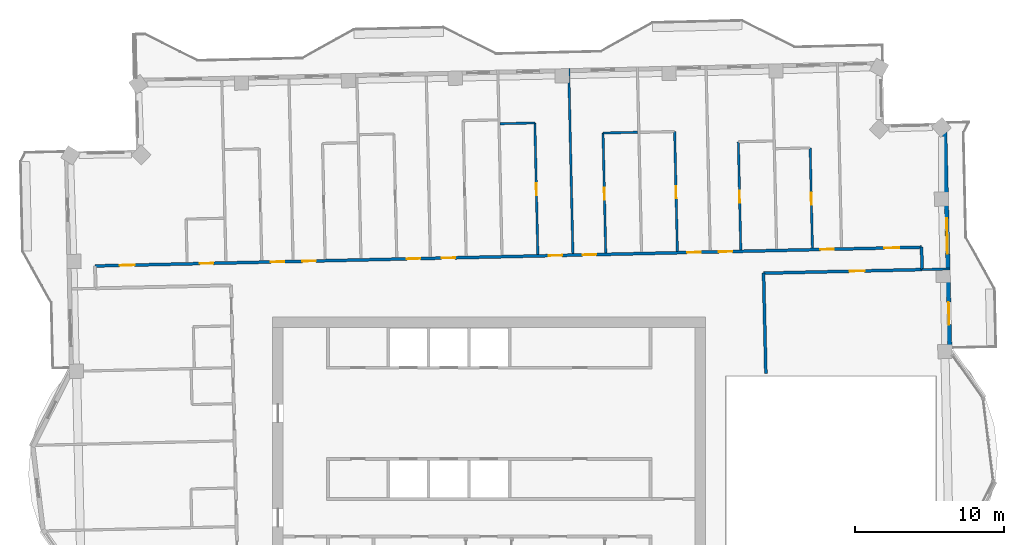
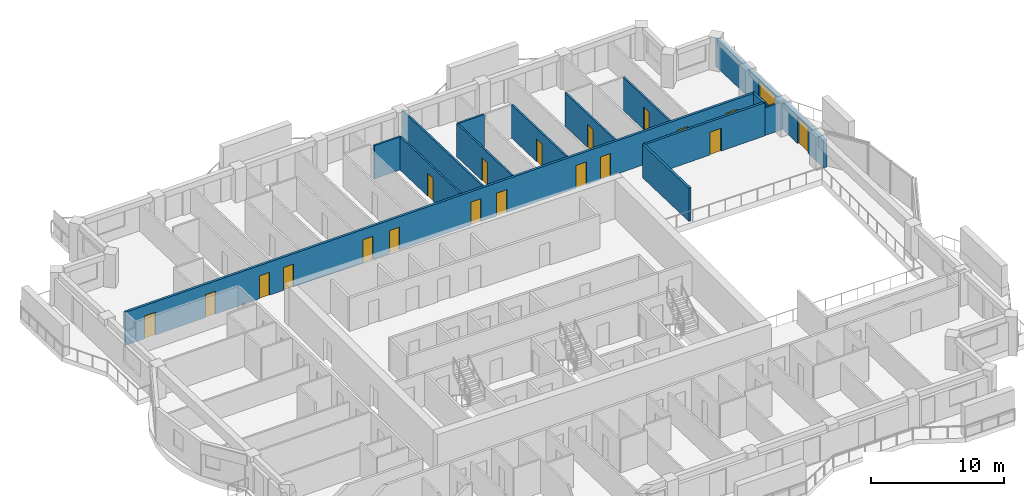
# One storey, part 13 of 18: 19 doors, 14 walls, 1 window, 20 openings.
"""IFC4 building model written with IfcOpenShell, lengths in metres."""

from ifc_helpers import new_model, si_unit, direction, frame, frame_2d, origin, place, context, subcontext, project, spatial, rectangle, extrude, material, layer, layer_set, type_object, element, fill, save


model = new_model("IFC4")

# Units and contexts
model_context = context("Model", 3, precision=1e-05, world=origin(), true_north=direction((0.0, 1.0)))
body_context = subcontext(model_context, "Body", "Model", "MODEL_VIEW")
ifc_project = project(units=[si_unit("LENGTHUNIT", "METRE"), si_unit("AREAUNIT", "SQUARE_METRE"), si_unit("VOLUMEUNIT", "CUBIC_METRE"), si_unit("PLANEANGLEUNIT", "RADIAN"), si_unit("MASSUNIT", "GRAM", prefix="KILO")], contexts=[model_context])

# Site, building, storey
site_placement = place(None, origin())
site = spatial("IfcSite", under=ifc_project, at=site_placement, CompositionType="ELEMENT")
building_placement = place(site_placement, origin())
building = spatial("IfcBuilding", under=site, at=building_placement, Name="Mangrove Gate Tower", CompositionType="ELEMENT")
storey_placement = place(building_placement, frame((0.0, 0.0, 287.10009765625)))
storey = spatial("IfcBuildingStorey", under=building, at=storey_placement, Name="L73", CompositionType="ELEMENT", Elevation=287.10009765625)

# Wall
ifc_material_1 = material(Name="Gypsum board on steel stud, EI 60", Category="steel")
ifc_layer_1 = layer(ifc_material_1, 0.199951171875)
ifc_layer_set_1 = layer_set([ifc_layer_1], Name="Corridor wall EI 60")
wall_type_1 = type_object("IfcWallType", Name="Corridor wall EI 60", PredefinedType="PARTITIONING", material=ifc_layer_set_1)
wall_1_placement = place(storey_placement, frame((18.537109375, 7.714111328125, 0.0), z_axis=(0.0, 0.0, 1.0), x_axis=(-0.022773383809, 0.999740652864, 0.0)))
element("IfcWall", 1, at=wall_1_placement, inside=storey, type_object=wall_type_1, Name="WALL-L73-047", PredefinedType="PARTITIONING", context=body_context, shape_type="SweptSolid", body=[
    extrude(rectangle(XDim=6.7216796875, YDim=0.199951171875, at=frame_2d((3.36083984375, 0.0))), origin(), (0.0, 0.0, 1.0), 3.0498046875),
])

# Wall, opening, door
wall_2_placement = place(storey_placement, frame((18.382080078125, 14.43408203125, 0.0), z_axis=(0.0, 0.0, 1.0), x_axis=(0.999742819156, 0.02267808514, 0.0)))
wall_2 = element("IfcWall", 2, at=wall_2_placement, inside=storey, type_object=wall_type_1, Name="WALL-L73-054", PredefinedType="PARTITIONING", context=body_context, shape_type="SweptSolid", body=[
    extrude(rectangle(XDim=10.62548828125, YDim=0.199951171875, at=frame_2d((5.312744140625, 0.0))), origin(), (0.0, 0.0, 1.0), 3.0498046875),
])
opening_1_placement = place(wall_2_placement, frame((5.777099609375, 0.0, 0.0)))
opening_1 = element("IfcOpeningElement", 3, at=opening_1_placement, cuts=wall_2, Name="Opening AD", PredefinedType="OPENING", context=body_context, shape_type="SweptSolid", body=[
    extrude(rectangle(XDim=1.0, YDim=2.10009765625, at=frame_2d((0.5, 1.050048828125))), frame((0.0, 0.10986328125, 0.0), z_axis=(0.0, -1.0, 0.0), x_axis=(1.0, 0.0, 0.0)), (0.0, 0.0, 1.0), 0.219970703125),
])
ifc_material_2 = material(Name="Timber door leaf", Category="wood")
door_type_1 = type_object("IfcDoorType", Name="Amenity door 1000", OperationType="SINGLE_SWING_LEFT", PredefinedType="DOOR", material=ifc_material_2)
door_1_placement = place(opening_1_placement, origin())
door_1 = element("IfcDoor", 4, at=door_1_placement, inside=storey, type_object=door_type_1, Name="DOOR-L73-GAM-c3a", OperationType="SINGLE_SWING_RIGHT", OverallHeight=2.10009765625, OverallWidth=1.0, PredefinedType="DOOR", context=body_context, shape_type="SweptSolid", body=[
    extrude(rectangle(XDim=1.0, YDim=2.10009765625, at=frame_2d((0.5, 1.050048828125))), frame((0.0, 0.02490234375, 0.0), z_axis=(0.0, -1.0, 0.0), x_axis=(1.0, 0.0, 0.0)), (0.0, 0.0, 1.0), 0.050048828125),
])
fill(opening_1, door_1)

# Wall
wall_3_placement = place(storey_placement, frame((29.001953125, 14.675048828125, 0.0), z_axis=(0.0, 0.0, 1.0), x_axis=(-0.022617910375, 0.999744182344, 0.0)))
element("IfcWall", 5, at=wall_3_placement, inside=storey, type_object=wall_type_1, Name="WALL-L73-055", PredefinedType="PARTITIONING", context=body_context, shape_type="SweptSolid", body=[
    extrude(rectangle(XDim=1.50048828125, YDim=0.199951171875, at=frame_2d((0.750244140625, 0.0))), origin(), (0.0, 0.0, 1.0), 3.0498046875),
])

# Wall, openings, doors
wall_4_placement = place(storey_placement, frame((-26.40087890625, 14.91796875, 0.0), z_axis=(0.0, 0.0, 1.0), x_axis=(0.99974239733, 0.022696673341, 0.0)))
wall_4 = element("IfcWall", 6, at=wall_4_placement, inside=storey, type_object=wall_type_1, Name="WALL-L73-057", PredefinedType="PARTITIONING", context=body_context, shape_type="SweptSolid", body=[
    extrude(rectangle(XDim=55.385986328125, YDim=0.199951171875, at=frame_2d((27.69287109375, 0.0))), origin(), (0.0, 0.0, 1.0), 3.0498046875),
])
opening_2_placement = place(wall_4_placement, frame((52.888916015625, 0.0, 0.0)))
opening_2 = element("IfcOpeningElement", 7, at=opening_2_placement, cuts=wall_4, Name="Opening AD", PredefinedType="OPENING", context=body_context, shape_type="SweptSolid", body=[
    extrude(rectangle(XDim=1.0, YDim=2.10009765625, at=frame_2d((0.5, 1.050048828125))), frame((0.0, 0.10986328125, 0.0), z_axis=(0.0, -1.0, 0.0), x_axis=(1.0, 0.0, 0.0)), (0.0, 0.0, 1.0), 0.219970703125),
])
opening_3_placement = place(wall_4_placement, frame((48.60009765625, 0.0, 0.0)))
opening_3 = element("IfcOpeningElement", 8, at=opening_3_placement, cuts=wall_4, Name="Opening BD", PredefinedType="OPENING", context=body_context, shape_type="SweptSolid", body=[
    extrude(rectangle(XDim=0.89990234375, YDim=2.10009765625, at=frame_2d((0.449951171875, 1.050048828125))), frame((0.0, 0.10986328125, 0.0), z_axis=(0.0, -1.0, 0.0), x_axis=(1.0, 0.0, 0.0)), (0.0, 0.0, 1.0), 0.219970703125),
])
opening_4_placement = place(wall_4_placement, frame((41.800048828125, 0.0, 0.0)))
opening_4 = element("IfcOpeningElement", 9, at=opening_4_placement, cuts=wall_4, Name="Opening BD", PredefinedType="OPENING", context=body_context, shape_type="SweptSolid", body=[
    extrude(rectangle(XDim=0.89990234375, YDim=2.10009765625, at=frame_2d((0.449951171875, 1.050048828125))), frame((0.0, 0.10986328125, 0.0), z_axis=(0.0, -1.0, 0.0), x_axis=(1.0, 0.0, 0.0)), (0.0, 0.0, 1.0), 0.219970703125),
])
opening_5_placement = place(wall_4_placement, frame((39.675048828125, 0.0, 0.0)))
opening_5 = element("IfcOpeningElement", 10, at=opening_5_placement, cuts=wall_4, Name="Opening BD", PredefinedType="OPENING", context=body_context, shape_type="SweptSolid", body=[
    extrude(rectangle(XDim=0.89990234375, YDim=2.10009765625, at=frame_2d((0.449951171875, 1.050048828125))), frame((0.0, 0.10986328125, 0.0), z_axis=(0.0, -1.0, 0.0), x_axis=(1.0, 0.0, 0.0)), (0.0, 0.0, 1.0), 0.219970703125),
])
opening_6_placement = place(wall_4_placement, frame((32.675048828125, 0.0, 0.0)))
opening_6 = element("IfcOpeningElement", 11, at=opening_6_placement, cuts=wall_4, Name="Opening BD", PredefinedType="OPENING", context=body_context, shape_type="SweptSolid", body=[
    extrude(rectangle(XDim=0.89990234375, YDim=2.10009765625, at=frame_2d((0.449951171875, 1.050048828125))), frame((0.0, 0.10986328125, 0.0), z_axis=(0.0, -1.0, 0.0), x_axis=(1.0, 0.0, 0.0)), (0.0, 0.0, 1.0), 0.219970703125),
])
opening_7_placement = place(wall_4_placement, frame((30.39990234375, 0.0, 0.0)))
opening_7 = element("IfcOpeningElement", 12, at=opening_7_placement, cuts=wall_4, Name="Opening BD", PredefinedType="OPENING", context=body_context, shape_type="SweptSolid", body=[
    extrude(rectangle(XDim=0.89990234375, YDim=2.10009765625, at=frame_2d((0.449951171875, 1.050048828125))), frame((0.0, 0.10986328125, 0.0), z_axis=(0.0, -1.0, 0.0), x_axis=(1.0, 0.0, 0.0)), (0.0, 0.0, 1.0), 0.219970703125),
])
opening_8_placement = place(wall_4_placement, frame((23.22509765625, 0.0, 0.0)))
opening_8 = element("IfcOpeningElement", 13, at=opening_8_placement, cuts=wall_4, Name="Opening BD", PredefinedType="OPENING", context=body_context, shape_type="SweptSolid", body=[
    extrude(rectangle(XDim=0.89990234375, YDim=2.10009765625, at=frame_2d((0.449951171875, 1.050048828125))), frame((0.0, 0.10986328125, 0.0), z_axis=(0.0, -1.0, 0.0), x_axis=(1.0, 0.0, 0.0)), (0.0, 0.0, 1.0), 0.219970703125),
])
opening_9_placement = place(wall_4_placement, frame((20.89990234375, 0.0, 0.0)))
opening_9 = element("IfcOpeningElement", 14, at=opening_9_placement, cuts=wall_4, Name="Opening BD", PredefinedType="OPENING", context=body_context, shape_type="SweptSolid", body=[
    extrude(rectangle(XDim=0.89990234375, YDim=2.10009765625, at=frame_2d((0.449951171875, 1.050048828125))), frame((0.0, 0.10986328125, 0.0), z_axis=(0.0, -1.0, 0.0), x_axis=(1.0, 0.0, 0.0)), (0.0, 0.0, 1.0), 0.219970703125),
])
opening_10_placement = place(wall_4_placement, frame((13.89990234375, 0.0, 0.0)))
opening_10 = element("IfcOpeningElement", 15, at=opening_10_placement, cuts=wall_4, Name="Opening BD", PredefinedType="OPENING", context=body_context, shape_type="SweptSolid", body=[
    extrude(rectangle(XDim=0.89990234375, YDim=2.10009765625, at=frame_2d((0.449951171875, 1.050048828125))), frame((0.0, 0.10986328125, 0.0), z_axis=(0.0, -1.0, 0.0), x_axis=(1.0, 0.0, 0.0)), (0.0, 0.0, 1.0), 0.219970703125),
])
opening_11_placement = place(wall_4_placement, frame((11.77490234375, 0.0, 0.0)))
opening_11 = element("IfcOpeningElement", 16, at=opening_11_placement, cuts=wall_4, Name="Opening BD", PredefinedType="OPENING", context=body_context, shape_type="SweptSolid", body=[
    extrude(rectangle(XDim=0.89990234375, YDim=2.10009765625, at=frame_2d((0.449951171875, 1.050048828125))), frame((0.0, 0.10986328125, 0.0), z_axis=(0.0, -1.0, 0.0), x_axis=(1.0, 0.0, 0.0)), (0.0, 0.0, 1.0), 0.219970703125),
])
opening_12_placement = place(wall_4_placement, frame((1.64990234375, 0.0, 0.0)))
opening_12 = element("IfcOpeningElement", 17, at=opening_12_placement, cuts=wall_4, Name="Opening AD", PredefinedType="OPENING", context=body_context, shape_type="SweptSolid", body=[
    extrude(rectangle(XDim=1.0, YDim=2.10009765625, at=frame_2d((0.5, 1.050048828125))), frame((0.0, 0.10986328125, 0.0), z_axis=(0.0, -1.0, 0.0), x_axis=(1.0, 0.0, 0.0)), (0.0, 0.0, 1.0), 0.219970703125),
])
opening_13_placement = place(wall_4_placement, frame((7.02490234375, 0.0, 0.0)))
opening_13 = element("IfcOpeningElement", 18, at=opening_13_placement, cuts=wall_4, Name="Opening SD", PredefinedType="OPENING", context=body_context, shape_type="SweptSolid", body=[
    extrude(rectangle(XDim=0.89990234375, YDim=2.10009765625, at=frame_2d((0.449951171875, 1.050048828125))), frame((0.0, 0.10986328125, 0.0), z_axis=(0.0, -1.0, 0.0), x_axis=(1.0, 0.0, 0.0)), (0.0, 0.0, 1.0), 0.219970703125),
])
door_2_placement = place(opening_2_placement, origin())
door_2 = element("IfcDoor", 19, at=door_2_placement, inside=storey, type_object=door_type_1, Name="DOOR-L73-STU-c3a", OperationType="SINGLE_SWING_LEFT", OverallHeight=2.10009765625, OverallWidth=1.0, PredefinedType="DOOR", context=body_context, shape_type="SweptSolid", body=[
    extrude(rectangle(XDim=1.0, YDim=2.10009765625, at=frame_2d((0.5, 1.050048828125))), frame((0.0, 0.02490234375, 0.0), z_axis=(0.0, -1.0, 0.0), x_axis=(1.0, 0.0, 0.0)), (0.0, 0.0, 1.0), 0.050048828125),
])
fill(opening_2, door_2)
door_3_placement = place(opening_12_placement, origin())
door_3 = element("IfcDoor", 20, at=door_3_placement, inside=storey, type_object=door_type_1, Name="DOOR-L73-LNG-c5a", OperationType="SINGLE_SWING_RIGHT", OverallHeight=2.10009765625, OverallWidth=1.0, PredefinedType="DOOR", context=body_context, shape_type="SweptSolid", body=[
    extrude(rectangle(XDim=1.0, YDim=2.10009765625, at=frame_2d((0.5, 1.050048828125))), frame((0.0, 0.02490234375, 0.0), z_axis=(0.0, -1.0, 0.0), x_axis=(1.0, 0.0, 0.0)), (0.0, 0.0, 1.0), 0.050048828125),
])
fill(opening_12, door_3)
ifc_material_3 = material(Name="Timber door leaf", Category="wood")
door_type_2 = type_object("IfcDoorType", Name="Bedroom door 900", OperationType="SINGLE_SWING_LEFT", PredefinedType="DOOR", material=ifc_material_3)
door_4_placement = place(opening_3_placement, origin())
door_4 = element("IfcDoor", 21, at=door_4_placement, inside=storey, type_object=door_type_2, Name="DOOR-L73-BED-c310", OperationType="SINGLE_SWING_RIGHT", OverallHeight=2.10009765625, OverallWidth=0.89990234375, PredefinedType="DOOR", context=body_context, shape_type="SweptSolid", body=[
    extrude(rectangle(XDim=0.89990234375, YDim=2.10009765625, at=frame_2d((0.449951171875, 1.050048828125))), frame((0.0, 0.02490234375, 0.0), z_axis=(0.0, -1.0, 0.0), x_axis=(1.0, 0.0, 0.0)), (0.0, 0.0, 1.0), 0.050048828125),
])
fill(opening_3, door_4)
door_5_placement = place(opening_4_placement, origin())
door_5 = element("IfcDoor", 22, at=door_5_placement, inside=storey, type_object=door_type_2, Name="DOOR-L73-BED-c311", OperationType="SINGLE_SWING_LEFT", OverallHeight=2.10009765625, OverallWidth=0.89990234375, PredefinedType="DOOR", context=body_context, shape_type="SweptSolid", body=[
    extrude(rectangle(XDim=0.89990234375, YDim=2.10009765625, at=frame_2d((0.449951171875, 1.050048828125))), frame((0.0, 0.02490234375, 0.0), z_axis=(0.0, -1.0, 0.0), x_axis=(1.0, 0.0, 0.0)), (0.0, 0.0, 1.0), 0.050048828125),
])
fill(opening_4, door_5)
door_6_placement = place(opening_5_placement, origin())
door_6 = element("IfcDoor", 23, at=door_6_placement, inside=storey, type_object=door_type_2, Name="DOOR-L73-BED-c412", OperationType="SINGLE_SWING_RIGHT", OverallHeight=2.10009765625, OverallWidth=0.89990234375, PredefinedType="DOOR", context=body_context, shape_type="SweptSolid", body=[
    extrude(rectangle(XDim=0.89990234375, YDim=2.10009765625, at=frame_2d((0.449951171875, 1.050048828125))), frame((0.0, 0.02490234375, 0.0), z_axis=(0.0, -1.0, 0.0), x_axis=(1.0, 0.0, 0.0)), (0.0, 0.0, 1.0), 0.050048828125),
])
fill(opening_5, door_6)
door_7_placement = place(opening_6_placement, origin())
door_7 = element("IfcDoor", 24, at=door_7_placement, inside=storey, type_object=door_type_2, Name="DOOR-L73-BED-c413", OperationType="SINGLE_SWING_LEFT", OverallHeight=2.10009765625, OverallWidth=0.89990234375, PredefinedType="DOOR", context=body_context, shape_type="SweptSolid", body=[
    extrude(rectangle(XDim=0.89990234375, YDim=2.10009765625, at=frame_2d((0.449951171875, 1.050048828125))), frame((0.0, 0.02490234375, 0.0), z_axis=(0.0, -1.0, 0.0), x_axis=(1.0, 0.0, 0.0)), (0.0, 0.0, 1.0), 0.050048828125),
])
fill(opening_6, door_7)
door_8_placement = place(opening_7_placement, origin())
door_8 = element("IfcDoor", 25, at=door_8_placement, inside=storey, type_object=door_type_2, Name="DOOR-L73-BED-c414", OperationType="SINGLE_SWING_RIGHT", OverallHeight=2.10009765625, OverallWidth=0.89990234375, PredefinedType="DOOR", context=body_context, shape_type="SweptSolid", body=[
    extrude(rectangle(XDim=0.89990234375, YDim=2.10009765625, at=frame_2d((0.449951171875, 1.050048828125))), frame((0.0, 0.02490234375, 0.0), z_axis=(0.0, -1.0, 0.0), x_axis=(1.0, 0.0, 0.0)), (0.0, 0.0, 1.0), 0.050048828125),
])
fill(opening_7, door_8)
door_9_placement = place(opening_8_placement, origin())
door_9 = element("IfcDoor", 26, at=door_9_placement, inside=storey, type_object=door_type_2, Name="DOOR-L73-BED-c415", OperationType="SINGLE_SWING_LEFT", OverallHeight=2.10009765625, OverallWidth=0.89990234375, PredefinedType="DOOR", context=body_context, shape_type="SweptSolid", body=[
    extrude(rectangle(XDim=0.89990234375, YDim=2.10009765625, at=frame_2d((0.449951171875, 1.050048828125))), frame((0.0, 0.02490234375, 0.0), z_axis=(0.0, -1.0, 0.0), x_axis=(1.0, 0.0, 0.0)), (0.0, 0.0, 1.0), 0.050048828125),
])
fill(opening_8, door_9)
door_10_placement = place(opening_9_placement, origin())
door_10 = element("IfcDoor", 27, at=door_10_placement, inside=storey, type_object=door_type_2, Name="DOOR-L73-BED-c516", OperationType="SINGLE_SWING_RIGHT", OverallHeight=2.10009765625, OverallWidth=0.89990234375, PredefinedType="DOOR", context=body_context, shape_type="SweptSolid", body=[
    extrude(rectangle(XDim=0.89990234375, YDim=2.10009765625, at=frame_2d((0.449951171875, 1.050048828125))), frame((0.0, 0.02490234375, 0.0), z_axis=(0.0, -1.0, 0.0), x_axis=(1.0, 0.0, 0.0)), (0.0, 0.0, 1.0), 0.050048828125),
])
fill(opening_9, door_10)
door_11_placement = place(opening_10_placement, origin())
door_11 = element("IfcDoor", 28, at=door_11_placement, inside=storey, type_object=door_type_2, Name="DOOR-L73-BED-c517", OperationType="SINGLE_SWING_LEFT", OverallHeight=2.10009765625, OverallWidth=0.89990234375, PredefinedType="DOOR", context=body_context, shape_type="SweptSolid", body=[
    extrude(rectangle(XDim=0.89990234375, YDim=2.10009765625, at=frame_2d((0.449951171875, 1.050048828125))), frame((0.0, 0.02490234375, 0.0), z_axis=(0.0, -1.0, 0.0), x_axis=(1.0, 0.0, 0.0)), (0.0, 0.0, 1.0), 0.050048828125),
])
fill(opening_10, door_11)
door_12_placement = place(opening_11_placement, origin())
door_12 = element("IfcDoor", 29, at=door_12_placement, inside=storey, type_object=door_type_2, Name="DOOR-L73-BED-c518", OperationType="SINGLE_SWING_RIGHT", OverallHeight=2.10009765625, OverallWidth=0.89990234375, PredefinedType="DOOR", context=body_context, shape_type="SweptSolid", body=[
    extrude(rectangle(XDim=0.89990234375, YDim=2.10009765625, at=frame_2d((0.449951171875, 1.050048828125))), frame((0.0, 0.02490234375, 0.0), z_axis=(0.0, -1.0, 0.0), x_axis=(1.0, 0.0, 0.0)), (0.0, 0.0, 1.0), 0.050048828125),
])
fill(opening_11, door_12)
ifc_material_4 = material(Name="Timber door leaf", Category="wood")
door_type_3 = type_object("IfcDoorType", Name="Service room door 900", OperationType="SINGLE_SWING_LEFT", PredefinedType="DOOR", material=ifc_material_4)
door_13_placement = place(opening_13_placement, origin())
door_13 = element("IfcDoor", 30, at=door_13_placement, inside=storey, type_object=door_type_3, Name="DOOR-L73-AWC-c5a", OperationType="SINGLE_SWING_LEFT", OverallHeight=2.10009765625, OverallWidth=0.89990234375, PredefinedType="DOOR", context=body_context, shape_type="SweptSolid", body=[
    extrude(rectangle(XDim=0.89990234375, YDim=2.10009765625, at=frame_2d((0.449951171875, 1.050048828125))), frame((0.0, 0.02490234375, 0.0), z_axis=(0.0, -1.0, 0.0), x_axis=(1.0, 0.0, 0.0)), (0.0, 0.0, 1.0), 0.050048828125),
])
fill(opening_13, door_13)

# Wall, openings, door, window
ifc_material_5 = material(Name="Limestone", Category="masonry")
ifc_layer_2 = layer(ifc_material_5, 0.0400390625, Name="Limestone cladding")
ifc_material_6 = material(Name="Ventilated air gap")
ifc_layer_3 = layer(ifc_material_6, 0.0400390625, Name="Ventilated cavity")
ifc_material_7 = material(Name="Mineral wool insulation")
ifc_layer_4 = layer(ifc_material_7, 0.06005859375, Name="Insulation")
ifc_material_8 = material(Name="Breather membrane")
ifc_layer_5 = layer(ifc_material_8, 0.001953125, Name="Breather membrane")
ifc_material_9 = material(Name="Concrete C20/25 blockwork", Category="masonry")
ifc_layer_6 = layer(ifc_material_9, 0.14990234375, Name="Blockwork backing wall")
ifc_material_10 = material(Name="Gypsum plaster")
ifc_layer_7 = layer(ifc_material_10, 0.008056640625, Name="Internal plaster")
ifc_layer_set_2 = layer_set([ifc_layer_2, ifc_layer_3, ifc_layer_4, ifc_layer_5, ifc_layer_6, ifc_layer_7], Name="External wall 300 limestone cladding")
wall_type_2 = type_object("IfcWallType", Name="External wall 300 limestone cladding", PredefinedType="SOLIDWALL", material=ifc_layer_set_2)
wall_5_placement = place(storey_placement, frame((30.864990234375, 8.716064453125, 0.0), z_axis=(0.0, 0.0, 1.0), x_axis=(-0.022682425427, 0.999742720692, 0.0)))
wall_5 = element("IfcWall", 31, at=wall_5_placement, inside=storey, type_object=wall_type_2, Name="WALL-L73-E2s1", PredefinedType="SOLIDWALL", context=body_context, shape_type="SweptSolid", body=[
    extrude(rectangle(XDim=15.64990234375, YDim=0.300048828125, at=frame_2d((7.824951171875, 0.0))), origin(), (0.0, 0.0, 1.0), 2.5498046875),
])
opening_14_placement = place(wall_5_placement, frame((2.279052734375, 0.0, 0.0)))
opening_14 = element("IfcOpeningElement", 32, at=opening_14_placement, cuts=wall_5, Name="Opening BD1", PredefinedType="OPENING", context=body_context, shape_type="SweptSolid", body=[
    extrude(rectangle(XDim=1.5, YDim=2.39990234375, at=frame_2d((0.75, 1.199951171875))), frame((0.0, 0.159912109375, 0.0), z_axis=(0.0, -1.0, 0.0), x_axis=(1.0, 0.0, 0.0)), (0.0, 0.0, 1.0), 0.320068359375),
])
opening_15_placement = place(wall_5_placement, frame((7.008056640625, 0.0, 0.89990234375)))
opening_15 = element("IfcOpeningElement", 33, at=opening_15_placement, cuts=wall_5, Name="Opening W2", PredefinedType="OPENING", context=body_context, shape_type="SweptSolid", body=[
    extrude(rectangle(XDim=2.39990234375, YDim=1.5, at=frame_2d((1.199951171875, 0.75))), frame((0.0, 0.159912109375, 0.0), z_axis=(0.0, -1.0, 0.0), x_axis=(1.0, 0.0, 0.0)), (0.0, 0.0, 1.0), 0.320068359375),
])
ifc_material_11 = material(Name="Aluminium frame with laminated clear glass", Category="aluminium")
door_type_4 = type_object("IfcDoorType", Name="Balcony sliding door 1500x2400", OperationType="SLIDING_TO_LEFT", PredefinedType="DOOR", material=ifc_material_11)
door_14_placement = place(opening_14_placement, origin())
door_14 = element("IfcDoor", 34, at=door_14_placement, inside=storey, type_object=door_type_4, Name="DOOR-L73-E2-1", OperationType="SLIDING_TO_LEFT", OverallHeight=2.39990234375, OverallWidth=1.5, PredefinedType="DOOR", context=body_context, shape_type="SweptSolid", body=[
    extrude(rectangle(XDim=1.5, YDim=2.39990234375, at=frame_2d((0.75, 1.199951171875))), frame((0.0, 0.02490234375, 0.0), z_axis=(0.0, -1.0, 0.0), x_axis=(1.0, 0.0, 0.0)), (0.0, 0.0, 1.0), 0.050048828125),
])
fill(opening_14, door_14)
ifc_material_12 = material(Name="Aluminium frame with double-glazed low-e glass", Category="aluminium")
window_type = type_object("IfcWindowType", Name="Corner room window 2400x1500", PartitioningType="DOUBLE_PANEL_VERTICAL", PredefinedType="WINDOW", material=ifc_material_12)
window_placement = place(opening_15_placement, origin())
window = element("IfcWindow", 35, at=window_placement, inside=storey, type_object=window_type, Name="WIN-L73-E2-2", OverallHeight=1.5, OverallWidth=2.39990234375, PartitioningType="DOUBLE_PANEL_VERTICAL", PredefinedType="WINDOW", context=body_context, shape_type="SweptSolid", body=[
    extrude(rectangle(XDim=2.39990234375, YDim=1.5, at=frame_2d((1.199951171875, 0.75))), frame((0.0, 0.030029296875, 0.0), z_axis=(0.0, -1.0, 0.0), x_axis=(1.0, 0.0, 0.0)), (0.0, 0.0, 1.0), 0.06005859375),
])
fill(opening_15, window)

# Wall
ifc_material_13 = material(Name="Gypsum board on steel stud, EI 60", Category="steel")
ifc_layer_8 = layer(ifc_material_13, 0.14990234375)
ifc_layer_set_3 = layer_set([ifc_layer_8], Name="Party wall 150 EI 60")
wall_type_3 = type_object("IfcWallType", Name="Party wall 150 EI 60", PredefinedType="PARTITIONING", material=ifc_layer_set_3)
wall_6_placement = place(storey_placement, frame((29.0048828125, 14.675048828125, 0.0), z_axis=(0.0, 0.0, 1.0), x_axis=(0.999737243051, 0.022922583999, 0.0)))
element("IfcWall", 36, at=wall_6_placement, inside=storey, type_object=wall_type_3, Name="WALL-L73-056", PredefinedType="PARTITIONING", context=body_context, shape_type="SweptSolid", body=[
    extrude(rectangle(XDim=1.87451171875, YDim=0.14990234375, at=frame_2d((0.937255859375, 0.0))), origin(), (0.0, 0.0, 1.0), 2.5498046875),
])

# Wall, opening, door
wall_7_placement = place(storey_placement, frame((3.261962890625, 15.69091796875, 0.0), z_axis=(0.0, 0.0, 1.0), x_axis=(-0.022694967989, 0.999742436044, 0.0)))
wall_7 = element("IfcWall", 37, at=wall_7_placement, inside=storey, type_object=wall_type_3, Name="WALL-L73-068", PredefinedType="PARTITIONING", context=body_context, shape_type="SweptSolid", body=[
    extrude(rectangle(XDim=8.810302734375, YDim=0.14990234375, at=frame_2d((4.4052734375, 0.0))), origin(), (0.0, 0.0, 1.0), 3.0498046875),
])
opening_16_placement = place(wall_7_placement, frame((3.955078125, 0.0, 0.0)))
opening_16 = element("IfcOpeningElement", 38, at=opening_16_placement, cuts=wall_7, Name="Opening ED", PredefinedType="OPENING", context=body_context, shape_type="SweptSolid", body=[
    extrude(rectangle(XDim=0.800048828125, YDim=2.10009765625, at=frame_2d((0.39990234375, 1.050048828125))), frame((0.0, 0.0849609375, 0.0), z_axis=(0.0, -1.0, 0.0), x_axis=(1.0, 0.0, 0.0)), (0.0, 0.0, 1.0), 0.169921875),
])
ifc_material_14 = material(Name="Timber door leaf", Category="wood")
door_type_5 = type_object("IfcDoorType", Name="En-suite door 800", OperationType="SINGLE_SWING_LEFT", PredefinedType="DOOR", material=ifc_material_14)
door_15_placement = place(opening_16_placement, origin())
door_15 = element("IfcDoor", 39, at=door_15_placement, inside=storey, type_object=door_type_5, Name="DOOR-L73-ENS-c414", OperationType="SINGLE_SWING_RIGHT", OverallHeight=2.10009765625, OverallWidth=0.800048828125, PredefinedType="DOOR", context=body_context, shape_type="SweptSolid", body=[
    extrude(rectangle(XDim=0.800048828125, YDim=2.10009765625, at=frame_2d((0.39990234375, 1.050048828125))), frame((0.0, 0.02490234375, 0.0), z_axis=(0.0, -1.0, 0.0), x_axis=(1.0, 0.0, 0.0)), (0.0, 0.0, 1.0), 0.050048828125),
])
fill(opening_16, door_15)

# Wall
wall_8_placement = place(storey_placement, frame((5.611083984375, 15.7451171875, 0.0), z_axis=(0.0, 0.0, 1.0), x_axis=(-0.022663260168, 0.999743155335, 0.0)))
element("IfcWall", 40, at=wall_8_placement, inside=storey, type_object=wall_type_3, Name="WALL-L73-069", PredefinedType="PARTITIONING", context=body_context, shape_type="SweptSolid", body=[
    extrude(rectangle(XDim=12.399169921875, YDim=0.14990234375, at=frame_2d((6.19970703125, 0.0))), origin(), (0.0, 0.0, 1.0), 2.5),
])

# Wall, opening, door
wall_9_placement = place(storey_placement, frame((7.81103515625, 15.794921875, 0.0), z_axis=(0.0, 0.0, 1.0), x_axis=(-0.022683416553, 0.999742698205, 0.0)))
wall_9 = element("IfcWall", 41, at=wall_9_placement, inside=storey, type_object=wall_type_3, Name="WALL-L73-070", PredefinedType="PARTITIONING", context=body_context, shape_type="SweptSolid", body=[
    extrude(rectangle(XDim=8.029052734375, YDim=0.14990234375, at=frame_2d((4.0146484375, 0.0))), origin(), (0.0, 0.0, 1.0), 3.0498046875),
])
opening_17_placement = place(wall_9_placement, frame((3.56494140625, 0.0, 0.0)))
opening_17 = element("IfcOpeningElement", 42, at=opening_17_placement, cuts=wall_9, Name="Opening ED", PredefinedType="OPENING", context=body_context, shape_type="SweptSolid", body=[
    extrude(rectangle(XDim=0.800048828125, YDim=2.10009765625, at=frame_2d((0.39990234375, 1.050048828125))), frame((0.0, 0.0849609375, 0.0), z_axis=(0.0, -1.0, 0.0), x_axis=(1.0, 0.0, 0.0)), (0.0, 0.0, 1.0), 0.169921875),
])
door_16_placement = place(opening_17_placement, origin())
door_16 = element("IfcDoor", 43, at=door_16_placement, inside=storey, type_object=door_type_5, Name="DOOR-L73-ENS-c413", OperationType="SINGLE_SWING_LEFT", OverallHeight=2.10009765625, OverallWidth=0.800048828125, PredefinedType="DOOR", context=body_context, shape_type="SweptSolid", body=[
    extrude(rectangle(XDim=0.800048828125, YDim=2.10009765625, at=frame_2d((0.39990234375, 1.050048828125))), frame((0.0, 0.02490234375, 0.0), z_axis=(0.0, -1.0, 0.0), x_axis=(1.0, 0.0, 0.0)), (0.0, 0.0, 1.0), 0.050048828125),
])
fill(opening_17, door_16)

wall_10_placement = place(storey_placement, frame((12.60888671875, 15.903076171875, 0.0), z_axis=(0.0, 0.0, 1.0), x_axis=(-0.022557518047, 0.999745546817, 0.0)))
wall_10 = element("IfcWall", 44, at=wall_10_placement, inside=storey, type_object=wall_type_3, Name="WALL-L73-072", PredefinedType="PARTITIONING", context=body_context, shape_type="SweptSolid", body=[
    extrude(rectangle(XDim=8.019775390625, YDim=0.14990234375, at=frame_2d((4.009765625, 0.0))), origin(), (0.0, 0.0, 1.0), 3.0498046875),
])
opening_18_placement = place(wall_10_placement, frame((3.56005859375, 0.0, 0.0)))
opening_18 = element("IfcOpeningElement", 45, at=opening_18_placement, cuts=wall_10, Name="Opening ED", PredefinedType="OPENING", context=body_context, shape_type="SweptSolid", body=[
    extrude(rectangle(XDim=0.800048828125, YDim=2.10009765625, at=frame_2d((0.39990234375, 1.050048828125))), frame((0.0, 0.0849609375, 0.0), z_axis=(0.0, -1.0, 0.0), x_axis=(1.0, 0.0, 0.0)), (0.0, 0.0, 1.0), 0.169921875),
])
door_17_placement = place(opening_18_placement, origin())
door_17 = element("IfcDoor", 46, at=door_17_placement, inside=storey, type_object=door_type_5, Name="DOOR-L73-ENS-c412", OperationType="SINGLE_SWING_RIGHT", OverallHeight=2.10009765625, OverallWidth=0.800048828125, PredefinedType="DOOR", context=body_context, shape_type="SweptSolid", body=[
    extrude(rectangle(XDim=0.800048828125, YDim=2.10009765625, at=frame_2d((0.39990234375, 1.050048828125))), frame((0.0, 0.02490234375, 0.0), z_axis=(0.0, -1.0, 0.0), x_axis=(1.0, 0.0, 0.0)), (0.0, 0.0, 1.0), 0.050048828125),
])
fill(opening_18, door_17)

wall_11_placement = place(storey_placement, frame((16.85791015625, 16.0, 0.0), z_axis=(0.0, 0.0, 1.0), x_axis=(-0.022627186748, 0.999743972435, 0.0)))
wall_11 = element("IfcWall", 47, at=wall_11_placement, inside=storey, type_object=wall_type_3, Name="WALL-L73-074", PredefinedType="PARTITIONING", context=body_context, shape_type="SweptSolid", body=[
    extrude(rectangle(XDim=7.239990234375, YDim=0.14990234375, at=frame_2d((3.6201171875, 0.0))), origin(), (0.0, 0.0, 1.0), 3.0498046875),
])
opening_19_placement = place(wall_11_placement, frame((3.169921875, 0.0, 0.0)))
opening_19 = element("IfcOpeningElement", 48, at=opening_19_placement, cuts=wall_11, Name="Opening ED", PredefinedType="OPENING", context=body_context, shape_type="SweptSolid", body=[
    extrude(rectangle(XDim=0.800048828125, YDim=2.10009765625, at=frame_2d((0.39990234375, 1.050048828125))), frame((0.0, 0.0849609375, 0.0), z_axis=(0.0, -1.0, 0.0), x_axis=(1.0, 0.0, 0.0)), (0.0, 0.0, 1.0), 0.169921875),
])
door_18_placement = place(opening_19_placement, origin())
door_18 = element("IfcDoor", 49, at=door_18_placement, inside=storey, type_object=door_type_5, Name="DOOR-L73-ENS-c311", OperationType="SINGLE_SWING_LEFT", OverallHeight=2.10009765625, OverallWidth=0.800048828125, PredefinedType="DOOR", context=body_context, shape_type="SweptSolid", body=[
    extrude(rectangle(XDim=0.800048828125, YDim=2.10009765625, at=frame_2d((0.39990234375, 1.050048828125))), frame((0.0, 0.02490234375, 0.0), z_axis=(0.0, -1.0, 0.0), x_axis=(1.0, 0.0, 0.0)), (0.0, 0.0, 1.0), 0.050048828125),
])
fill(opening_19, door_18)

wall_12_placement = place(storey_placement, frame((21.656982421875, 16.10888671875, 0.0), z_axis=(0.0, 0.0, 1.0), x_axis=(-0.022634748998, 0.99974380125, 0.0)))
wall_12 = element("IfcWall", 50, at=wall_12_placement, inside=storey, type_object=wall_type_3, Name="WALL-L73-076", PredefinedType="PARTITIONING", context=body_context, shape_type="SweptSolid", body=[
    extrude(rectangle(XDim=6.7197265625, YDim=0.14990234375, at=frame_2d((3.35986328125, 0.0))), origin(), (0.0, 0.0, 1.0), 3.0498046875),
])
opening_20_placement = place(wall_12_placement, frame((2.909912109375, 0.0, 0.0)))
opening_20 = element("IfcOpeningElement", 51, at=opening_20_placement, cuts=wall_12, Name="Opening ED", PredefinedType="OPENING", context=body_context, shape_type="SweptSolid", body=[
    extrude(rectangle(XDim=0.800048828125, YDim=2.10009765625, at=frame_2d((0.39990234375, 1.050048828125))), frame((0.0, 0.0849609375, 0.0), z_axis=(0.0, -1.0, 0.0), x_axis=(1.0, 0.0, 0.0)), (0.0, 0.0, 1.0), 0.169921875),
])
door_19_placement = place(opening_20_placement, origin())
door_19 = element("IfcDoor", 52, at=door_19_placement, inside=storey, type_object=door_type_5, Name="DOOR-L73-ENS-c310", OperationType="SINGLE_SWING_RIGHT", OverallHeight=2.10009765625, OverallWidth=0.800048828125, PredefinedType="DOOR", context=body_context, shape_type="SweptSolid", body=[
    extrude(rectangle(XDim=0.800048828125, YDim=2.10009765625, at=frame_2d((0.39990234375, 1.050048828125))), frame((0.0, 0.02490234375, 0.0), z_axis=(0.0, -1.0, 0.0), x_axis=(1.0, 0.0, 0.0)), (0.0, 0.0, 1.0), 0.050048828125),
])
fill(opening_20, door_19)

# Walls
for number, where, z_axis, x_axis, name in (
    (53, (7.631103515625, 23.822998046875, 0.0), (0.0, 0.0, 1.0), (0.999749744571, 0.022370700241, 0.0), "WALL-L73-084"),
    (54, (0.739990234375, 24.446044921875, 0.0), (0.0, 0.0, 1.0), (0.999740260747, 0.02279059109, 0.0), "WALL-L73-086"),
):
    element("IfcWall", number, at=place(storey_placement, frame(where, z_axis=z_axis, x_axis=x_axis)), inside=storey, type_object=wall_type_3, Name=name, PredefinedType="PARTITIONING", context=body_context, shape_type="SweptSolid", body=[
        extrude(rectangle(XDim=2.324462890625, YDim=0.14990234375, at=frame_2d((1.162109375, 0.0))), origin(), (0.0, 0.0, 1.0), 3.0498046875),
    ])

save(model, "model.ifc")
